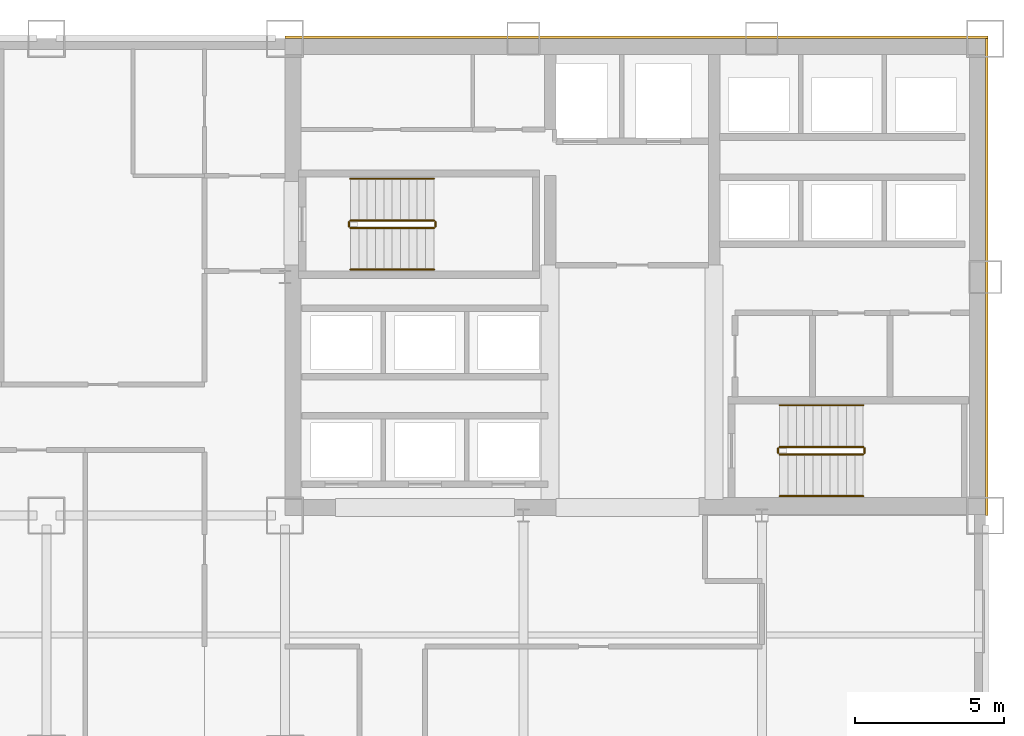
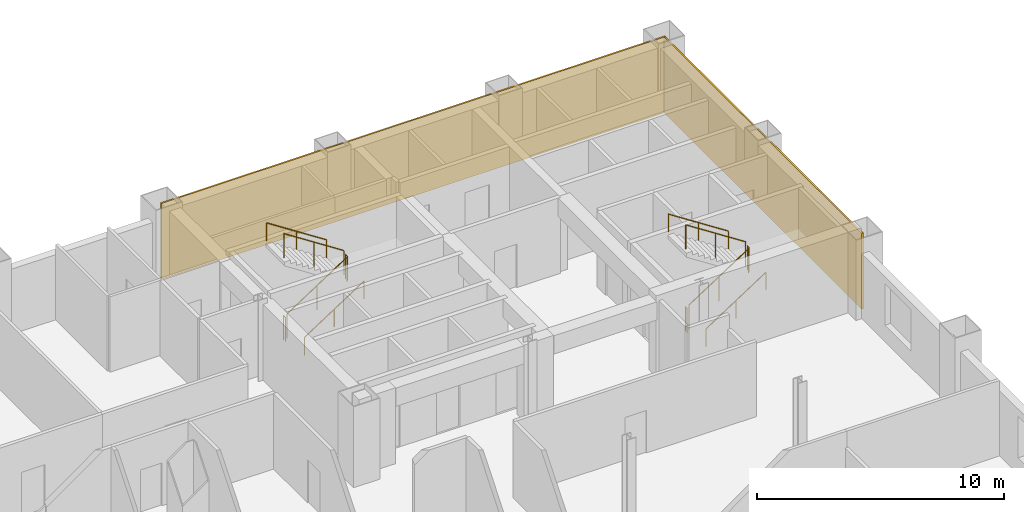
# One storey, part 9 of 9: 12 railings, 2 coverings.
"""IFC4 building model written with IfcOpenShell, lengths in metres."""

from ifc_helpers import new_model, si_unit, direction, frame, origin, origin_2d, place, context, subcontext, project, spatial, rectangle, circle, extrude, material, layer, layer_set, type_object, element, save


model = new_model("IFC4")

# Units and contexts
model_context = context("Model", 3, precision=1e-05, world=origin(), true_north=direction((0.0, 1.0)))
body_context = subcontext(model_context, "Body", "Model", "MODEL_VIEW")
ifc_project = project(units=[si_unit("LENGTHUNIT", "METRE"), si_unit("AREAUNIT", "SQUARE_METRE"), si_unit("VOLUMEUNIT", "CUBIC_METRE"), si_unit("PLANEANGLEUNIT", "RADIAN"), si_unit("MASSUNIT", "GRAM", prefix="KILO")], contexts=[model_context])

# Site, building, storey
site_placement = place(None, origin())
site = spatial("IfcSite", under=ifc_project, at=site_placement, CompositionType="ELEMENT")
building_placement = place(site_placement, origin())
building = spatial("IfcBuilding", under=site, at=building_placement, Name="Qianrong Seaharbour Tower", CompositionType="ELEMENT")
storey_placement = place(building_placement, frame((0.0, 0.0, 92.199951171875)))
storey = spatial("IfcBuildingStorey", under=building, at=storey_placement, Name="L22", CompositionType="ELEMENT", Elevation=92.199951171875)

# Coverings
ifc_material_1 = material(Name="Unitised red brick cladding on Precast concrete C45/55", Category="masonry")
ifc_layer = layer(ifc_material_1, 0.080078125)
ifc_layer_set = layer_set([ifc_layer], Name="Unitised red brick cladding on Precast concrete C45/55")
covering_type = type_object("IfcCoveringType", Name="COV-CLAD-RED-BRICK-80", PredefinedType="CLADDING", material=ifc_layer_set)
covering_1_placement = place(storey_placement, frame((52.2900390625, 52.0400390625, 0.0), z_axis=(0.0, 0.0, 1.0), x_axis=(1.0, 0.0, 0.0)))
element("IfcCovering", 1, at=covering_1_placement, inside=storey, type_object=covering_type, Name="L22 North Core Brick Veneer Cladding", PredefinedType="CLADDING", context=body_context, shape_type="SweptSolid", body=[
    extrude(rectangle(XDim=23.580078125, YDim=0.080078125, at=origin_2d()), origin(), (0.0, 0.0, 1.0), 3.75),
])
covering_2_placement = place(storey_placement, frame((64.0400390625, 44.0, 0.0), z_axis=(0.0, 0.0, 1.0), x_axis=(1.0, 0.0, 0.0)))
element("IfcCovering", 2, at=covering_2_placement, inside=storey, type_object=covering_type, Name="L22 East Core Brick Veneer Cladding", PredefinedType="CLADDING", context=body_context, shape_type="SweptSolid", body=[
    extrude(rectangle(XDim=0.080078125, YDim=16.0, at=origin_2d()), origin(), (0.0, 0.0, 1.0), 3.75),
])

# Railings
ifc_material_2 = material(Name="Galvanized painted steel SN400B stair guard", Category="steel")
railing_type_1 = type_object("IfcRailingType", Name="RAIL-STAIR-GUARD-1220", PredefinedType="GUARDRAIL", material=ifc_material_2)
railing_1_placement = place(storey_placement, frame((42.699951171875, 45.64990234375, 0.181884765625)))
element("IfcRailing", 3, at=railing_1_placement, inside=storey, type_object=railing_type_1, Name="L22 ST-1 stair guard 1", PredefinedType="GUARDRAIL", context=body_context, shape_type="SweptSolid", body=[
    extrude(circle(Radius=0.02392578125, at=origin_2d()), frame((0.0, 0.0, 1.19580078125), z_axis=(0.838705829183, 0.0, 0.544584733623), x_axis=(0.0, 1.0, 0.0)), (0.0, 0.0, 1.0), 3.338623046875),
    extrude(circle(Radius=0.02099609375, at=origin_2d()), origin(), (0.0, 0.0, 1.0), 1.171875),
    extrude(circle(Radius=0.02099609375, at=origin_2d()), frame((1.39990234375, 0.0, 0.9091796875)), (0.0, 0.0, 1.0), 1.171875),
    extrude(circle(Radius=0.02099609375, at=origin_2d()), frame((2.800048828125, 0.0, 1.818115234375)), (0.0, 0.0, 1.0), 1.171875),
])
railing_2_placement = place(storey_placement, frame((45.550048828125, 45.699951171875, 2.0)))
element("IfcRailing", 4, at=railing_2_placement, inside=storey, type_object=railing_type_1, Name="L22 ST-1 stair guard 2", PredefinedType="GUARDRAIL", context=body_context, shape_type="SweptSolid", body=[
    extrude(circle(Radius=0.02392578125, at=origin_2d()), frame((0.0, 0.0, 1.19580078125), z_axis=(0.0, 1.0, 0.0), x_axis=(-1.0, 0.0, 0.0)), (0.0, 0.0, 1.0), 0.150146484375),
    extrude(circle(Radius=0.02099609375, at=origin_2d()), origin(), (0.0, 0.0, 1.0), 1.171875),
    extrude(circle(Radius=0.02099609375, at=origin_2d()), frame((0.0, 0.150146484375, 0.0)), (0.0, 0.0, 1.0), 1.171875),
])
railing_3_placement = place(storey_placement, frame((45.5, 45.89990234375, 2.181884765625)))
element("IfcRailing", 5, at=railing_3_placement, inside=storey, type_object=railing_type_1, Name="L22 ST-1 stair guard 3", PredefinedType="GUARDRAIL", context=body_context, shape_type="SweptSolid", body=[
    extrude(circle(Radius=0.02392578125, at=origin_2d()), frame((0.0, 0.0, 1.19580078125), z_axis=(-0.838705829183, 0.0, 0.544584733623), x_axis=(0.0, -1.0, 0.0)), (0.0, 0.0, 1.0), 3.338623046875),
    extrude(circle(Radius=0.02099609375, at=origin_2d()), origin(), (0.0, 0.0, 1.0), 1.171875),
    extrude(circle(Radius=0.02099609375, at=origin_2d()), frame((-1.39990234375, 0.0, 0.9091796875)), (0.0, 0.0, 1.0), 1.171875),
    extrude(circle(Radius=0.02099609375, at=origin_2d()), frame((-2.800048828125, 0.0, 1.818115234375)), (0.0, 0.0, 1.0), 1.171875),
])
railing_4_placement = place(storey_placement, frame((42.64990234375, 45.699951171875, 0.0)))
element("IfcRailing", 6, at=railing_4_placement, inside=storey, type_object=railing_type_1, Name="L22 ST-1 stair guard 4", PredefinedType="GUARDRAIL", context=body_context, shape_type="SweptSolid", body=[
    extrude(circle(Radius=0.02392578125, at=origin_2d()), frame((0.0, 0.0, 1.19580078125), z_axis=(0.0, 1.0, 0.0), x_axis=(-1.0, 0.0, 0.0)), (0.0, 0.0, 1.0), 0.150146484375),
    extrude(circle(Radius=0.02099609375, at=origin_2d()), origin(), (0.0, 0.0, 1.0), 1.171875),
    extrude(circle(Radius=0.02099609375, at=origin_2d()), frame((0.0, 0.150146484375, 0.0)), (0.0, 0.0, 1.0), 1.171875),
])
railing_5_placement = place(storey_placement, frame((57.10009765625, 38.050048828125, 0.181884765625)))
element("IfcRailing", 7, at=railing_5_placement, inside=storey, type_object=railing_type_1, Name="L22 ST-2 stair guard 1", PredefinedType="GUARDRAIL", context=body_context, shape_type="SweptSolid", body=[
    extrude(circle(Radius=0.02392578125, at=origin_2d()), frame((0.0, 0.0, 1.19580078125), z_axis=(0.83868413941, 0.0, 0.544618136222), x_axis=(0.0, 1.0, 0.0)), (0.0, 0.0, 1.0), 3.33837890625),
    extrude(circle(Radius=0.02099609375, at=origin_2d()), origin(), (0.0, 0.0, 1.0), 1.171875),
    extrude(circle(Radius=0.02099609375, at=origin_2d()), frame((1.39990234375, 0.0, 0.9091796875)), (0.0, 0.0, 1.0), 1.171875),
    extrude(circle(Radius=0.02099609375, at=origin_2d()), frame((2.7998046875, 0.0, 1.818115234375)), (0.0, 0.0, 1.0), 1.171875),
])
railing_6_placement = place(storey_placement, frame((59.949951171875, 38.10009765625, 2.0)))
element("IfcRailing", 8, at=railing_6_placement, inside=storey, type_object=railing_type_1, Name="L22 ST-2 stair guard 2", PredefinedType="GUARDRAIL", context=body_context, shape_type="SweptSolid", body=[
    extrude(circle(Radius=0.02392578125, at=origin_2d()), frame((0.0, 0.0, 1.19580078125), z_axis=(0.0, 1.0, 0.0), x_axis=(-1.0, 0.0, 0.0)), (0.0, 0.0, 1.0), 0.14990234375),
    extrude(circle(Radius=0.02099609375, at=origin_2d()), origin(), (0.0, 0.0, 1.0), 1.171875),
    extrude(circle(Radius=0.02099609375, at=origin_2d()), frame((0.0, 0.14990234375, 0.0)), (0.0, 0.0, 1.0), 1.171875),
])
railing_7_placement = place(storey_placement, frame((59.89990234375, 38.300048828125, 2.181884765625)))
element("IfcRailing", 9, at=railing_7_placement, inside=storey, type_object=railing_type_1, Name="L22 ST-2 stair guard 3", PredefinedType="GUARDRAIL", context=body_context, shape_type="SweptSolid", body=[
    extrude(circle(Radius=0.02392578125, at=origin_2d()), frame((0.0, 0.0, 1.19580078125), z_axis=(-0.83868413941, 0.0, 0.544618136222), x_axis=(0.0, -1.0, 0.0)), (0.0, 0.0, 1.0), 3.33837890625),
    extrude(circle(Radius=0.02099609375, at=origin_2d()), origin(), (0.0, 0.0, 1.0), 1.171875),
    extrude(circle(Radius=0.02099609375, at=origin_2d()), frame((-1.39990234375, 0.0, 0.9091796875)), (0.0, 0.0, 1.0), 1.171875),
    extrude(circle(Radius=0.02099609375, at=origin_2d()), frame((-2.7998046875, 0.0, 1.818115234375)), (0.0, 0.0, 1.0), 1.171875),
])
railing_8_placement = place(storey_placement, frame((57.050048828125, 38.10009765625, 0.0)))
element("IfcRailing", 10, at=railing_8_placement, inside=storey, type_object=railing_type_1, Name="L22 ST-2 stair guard 4", PredefinedType="GUARDRAIL", context=body_context, shape_type="SweptSolid", body=[
    extrude(circle(Radius=0.02392578125, at=origin_2d()), frame((0.0, 0.0, 1.19580078125), z_axis=(0.0, 1.0, 0.0), x_axis=(-1.0, 0.0, 0.0)), (0.0, 0.0, 1.0), 0.14990234375),
    extrude(circle(Radius=0.02099609375, at=origin_2d()), origin(), (0.0, 0.0, 1.0), 1.171875),
    extrude(circle(Radius=0.02099609375, at=origin_2d()), frame((0.0, 0.14990234375, 0.0)), (0.0, 0.0, 1.0), 1.171875),
])
ifc_material_3 = material(Name="Stainless steel SUS316L continuous handrail", Category="steel")
railing_type_2 = type_object("IfcRailingType", Name="RAIL-STAIR-HANDRAIL-900", PredefinedType="HANDRAIL", material=ifc_material_3)
railing_9_placement = place(storey_placement, frame((42.699951171875, 44.25, 0.181884765625)))
element("IfcRailing", 11, at=railing_9_placement, inside=storey, type_object=railing_type_2, Name="L22 ST-1 stair handrail 1", PredefinedType="HANDRAIL", context=body_context, shape_type="SweptSolid", body=[
    extrude(circle(Radius=0.02392578125, at=origin_2d()), frame((0.0, 0.0, 0.8759765625), z_axis=(0.838705829183, 0.0, 0.544584733623), x_axis=(0.0, 1.0, 0.0)), (0.0, 0.0, 1.0), 3.338623046875),
    extrude(circle(Radius=0.02099609375, at=origin_2d()), origin(), (0.0, 0.0, 1.0), 0.851806640625),
    extrude(circle(Radius=0.02099609375, at=origin_2d()), frame((1.39990234375, 0.0, 0.9091796875)), (0.0, 0.0, 1.0), 0.851806640625),
    extrude(circle(Radius=0.02099609375, at=origin_2d()), frame((2.800048828125, 0.0, 1.818115234375)), (0.0, 0.0, 1.0), 0.851806640625),
])
railing_10_placement = place(storey_placement, frame((45.5, 47.300048828125, 2.181884765625)))
element("IfcRailing", 12, at=railing_10_placement, inside=storey, type_object=railing_type_2, Name="L22 ST-1 stair handrail 2", PredefinedType="HANDRAIL", context=body_context, shape_type="SweptSolid", body=[
    extrude(circle(Radius=0.02392578125, at=origin_2d()), frame((0.0, 0.0, 0.8759765625), z_axis=(-0.838705829183, 0.0, 0.544584733623), x_axis=(0.0, -1.0, 0.0)), (0.0, 0.0, 1.0), 3.338623046875),
    extrude(circle(Radius=0.02099609375, at=origin_2d()), origin(), (0.0, 0.0, 1.0), 0.851806640625),
    extrude(circle(Radius=0.02099609375, at=origin_2d()), frame((-1.39990234375, 0.0, 0.9091796875)), (0.0, 0.0, 1.0), 0.851806640625),
    extrude(circle(Radius=0.02099609375, at=origin_2d()), frame((-2.800048828125, 0.0, 1.818115234375)), (0.0, 0.0, 1.0), 0.851806640625),
])
railing_11_placement = place(storey_placement, frame((57.10009765625, 36.64990234375, 0.181884765625)))
element("IfcRailing", 13, at=railing_11_placement, inside=storey, type_object=railing_type_2, Name="L22 ST-2 stair handrail 1", PredefinedType="HANDRAIL", context=body_context, shape_type="SweptSolid", body=[
    extrude(circle(Radius=0.02392578125, at=origin_2d()), frame((0.0, 0.0, 0.8759765625), z_axis=(0.83868413941, 0.0, 0.544618136222), x_axis=(0.0, 1.0, 0.0)), (0.0, 0.0, 1.0), 3.33837890625),
    extrude(circle(Radius=0.02099609375, at=origin_2d()), origin(), (0.0, 0.0, 1.0), 0.851806640625),
    extrude(circle(Radius=0.02099609375, at=origin_2d()), frame((1.39990234375, 0.0, 0.9091796875)), (0.0, 0.0, 1.0), 0.851806640625),
    extrude(circle(Radius=0.02099609375, at=origin_2d()), frame((2.7998046875, 0.0, 1.818115234375)), (0.0, 0.0, 1.0), 0.851806640625),
])
railing_12_placement = place(storey_placement, frame((59.89990234375, 39.699951171875, 2.181884765625)))
element("IfcRailing", 14, at=railing_12_placement, inside=storey, type_object=railing_type_2, Name="L22 ST-2 stair handrail 2", PredefinedType="HANDRAIL", context=body_context, shape_type="SweptSolid", body=[
    extrude(circle(Radius=0.02392578125, at=origin_2d()), frame((0.0, 0.0, 0.8759765625), z_axis=(-0.83868413941, 0.0, 0.544618136222), x_axis=(0.0, -1.0, 0.0)), (0.0, 0.0, 1.0), 3.33837890625),
    extrude(circle(Radius=0.02099609375, at=origin_2d()), origin(), (0.0, 0.0, 1.0), 0.851806640625),
    extrude(circle(Radius=0.02099609375, at=origin_2d()), frame((-1.39990234375, 0.0, 0.9091796875)), (0.0, 0.0, 1.0), 0.851806640625),
    extrude(circle(Radius=0.02099609375, at=origin_2d()), frame((-2.7998046875, 0.0, 1.818115234375)), (0.0, 0.0, 1.0), 0.851806640625),
])

save(model, "model.ifc")
